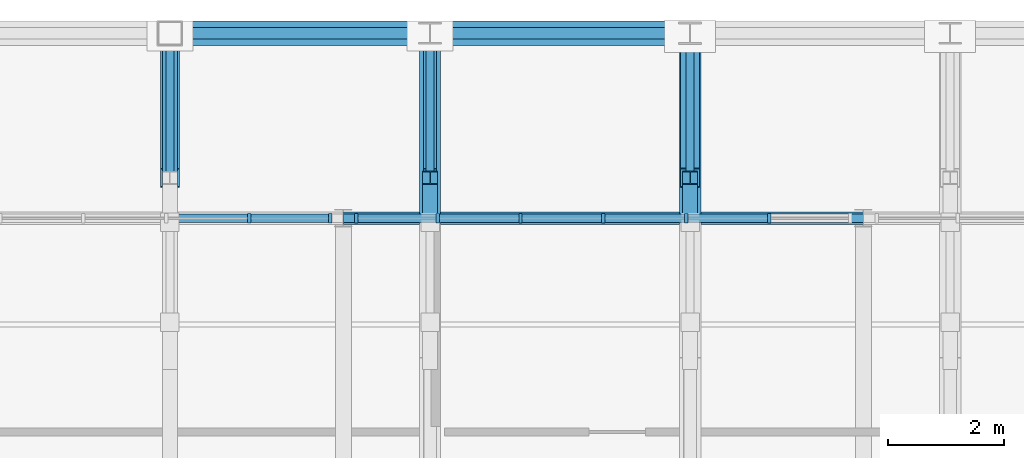
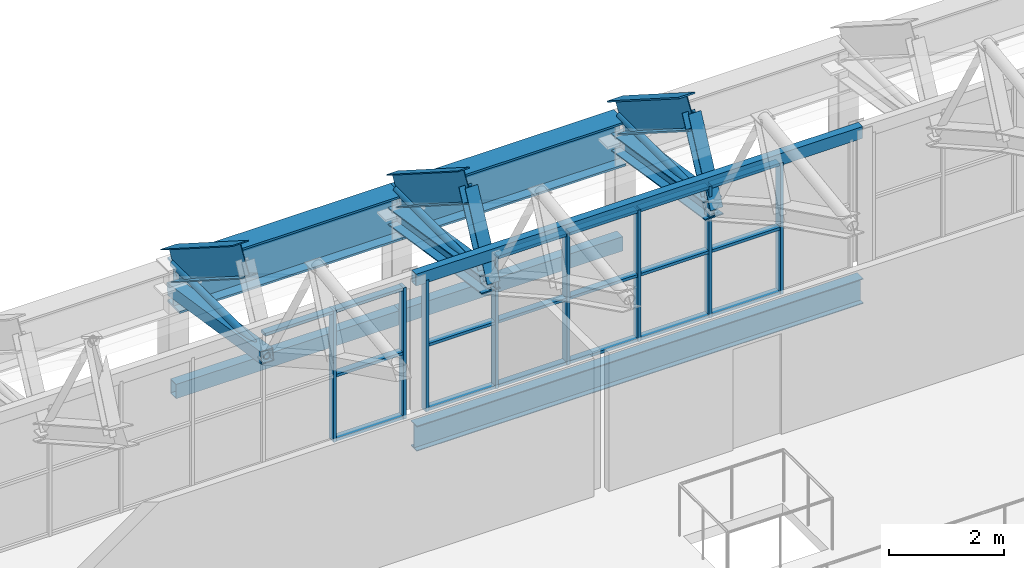
# One storey, part 72 of 134: 35 members, 9 beams, 2 elements without a shape of their own.
"""IFC4 building model written with IfcOpenShell, lengths in metres."""

from ifc_helpers import new_model, si_unit, direction, frame, origin, origin_2d, place, context, subcontext, project, spatial, rectangle, hollow_rectangle, hollow_circle, i_section, extrude, material, layer, layer_set, material_profile, profile_set, type_object, element, aggregate, save


model = new_model("IFC4")

# Units and contexts
model_context = context("Model", 3, precision=1e-05, world=origin(), true_north=direction((0.0, 1.0)))
body_context = subcontext(model_context, "Body", "Model", "MODEL_VIEW")
ifc_project = project(units=[si_unit("LENGTHUNIT", "METRE"), si_unit("AREAUNIT", "SQUARE_METRE"), si_unit("VOLUMEUNIT", "CUBIC_METRE"), si_unit("PLANEANGLEUNIT", "RADIAN"), si_unit("MASSUNIT", "GRAM", prefix="KILO")], contexts=[model_context])

# Site, building, storey
site_placement = place(None, origin())
site = spatial("IfcSite", under=ifc_project, at=site_placement, CompositionType="ELEMENT")
building_placement = place(site_placement, origin())
building = spatial("IfcBuilding", under=site, at=building_placement, Name="Cazmaro Siding Exhibition Halls", CompositionType="ELEMENT")
storey_placement = place(building_placement, frame((0.0, 0.0, 12.0)))
storey = spatial("IfcBuildingStorey", under=building, at=storey_placement, Name="L02", CompositionType="ELEMENT", Elevation=12.0)

# Beams
ifc_material_1 = material(Name="Steel ASTM A992 Grade 50", Category="steel")
ifc_material_profile_1 = material_profile(ifc_material_1, i_section(OverallWidth=0.327880859375, OverallDepth=0.626953125, WebThickness=0.01708984375, FlangeThickness=0.028076171875, at=origin_2d()), Name="W24X146")
ifc_profile_set_1 = profile_set([ifc_material_profile_1], Name="Steel ASTM A992 Grade 50")
beam_type_1 = type_object("IfcBeamType", Name="AR-01", PredefinedType="USERDEFINED", material=ifc_profile_set_1)
beam_1_placement = place(storey_placement, frame((126.0, 121.5, 3.89306640625), z_axis=(0.0, 0.843339173298, -0.537381650954), x_axis=(-1.0, 0.0, 0.0)))
element("IfcBeam", 1, at=beam_1_placement, inside=storey, type_object=beam_type_1, Name="Space frame barrel vault arched rib AR-01 BM-0990", ObjectType="ARCHED RIB", PredefinedType="USERDEFINED", context=body_context, shape_type="SweptSolid", body=[
    extrude(i_section(OverallWidth=0.327880859375, OverallDepth=0.626953125, WebThickness=0.01708984375, FlangeThickness=0.028076171875, at=origin_2d()), origin(), (0.0, 0.0, 1.0), 2.96435546875),
])
ifc_material_2 = material(Name="Steel ASTM A992 Grade 50", Category="steel")
ifc_material_profile_2 = material_profile(ifc_material_2, i_section(OverallWidth=0.324951171875, OverallDepth=0.612060546875, WebThickness=0.012939453125, FlangeThickness=0.01904296875, at=origin_2d()), Name="W24X104")
ifc_profile_set_2 = profile_set([ifc_material_profile_2], Name="Steel ASTM A992 Grade 50")
beam_type_2 = type_object("IfcBeamType", Name="AR-02", PredefinedType="USERDEFINED", material=ifc_profile_set_2)
beam_2_placement = place(storey_placement, frame((117.0, 121.5, 3.89306640625), z_axis=(0.0, 0.843339173298, -0.537381650954), x_axis=(-1.0, 0.0, 0.0)))
element("IfcBeam", 2, at=beam_2_placement, inside=storey, type_object=beam_type_2, Name="Space frame barrel vault arched rib AR-02 BM-0942", ObjectType="ARCHED RIB", PredefinedType="USERDEFINED", context=body_context, shape_type="SweptSolid", body=[
    extrude(i_section(OverallWidth=0.324951171875, OverallDepth=0.612060546875, WebThickness=0.012939453125, FlangeThickness=0.01904296875, at=origin_2d()), origin(), (0.0, 0.0, 1.0), 2.96435546875),
])
ifc_material_3 = material(Name="Steel ASTM A992 Grade 50", Category="steel")
ifc_material_profile_3 = material_profile(ifc_material_3, i_section(OverallWidth=0.22900390625, OverallDepth=0.612060546875, WebThickness=0.011962890625, FlangeThickness=0.02001953125, at=origin_2d()), Name="W24X84")
ifc_profile_set_3 = profile_set([ifc_material_profile_3], Name="Steel ASTM A992 Grade 50")
beam_type_3 = type_object("IfcBeamType", Name="AR-03", PredefinedType="USERDEFINED", material=ifc_profile_set_3)
beam_3_placement = place(storey_placement, frame((121.5, 121.5, 3.89306640625), z_axis=(0.0, 0.843339173298, -0.537381650954), x_axis=(-1.0, 0.0, 0.0)))
element("IfcBeam", 3, at=beam_3_placement, inside=storey, type_object=beam_type_3, Name="Space frame barrel vault arched rib AR-03 BM-0966", ObjectType="ARCHED RIB", PredefinedType="USERDEFINED", context=body_context, shape_type="SweptSolid", body=[
    extrude(i_section(OverallWidth=0.22900390625, OverallDepth=0.612060546875, WebThickness=0.011962890625, FlangeThickness=0.02001953125, at=origin_2d()), origin(), (0.0, 0.0, 1.0), 2.96435546875),
])
ifc_material_4 = material(Name="Steel ASTM A992 Grade 50", Category="steel")
ifc_material_profile_4 = material_profile(ifc_material_4, i_section(OverallWidth=0.2099609375, OverallDepth=0.535888671875, WebThickness=0.010986328125, FlangeThickness=0.01708984375, at=origin_2d()), Name="W21X68")
ifc_profile_set_4 = profile_set([ifc_material_profile_4], Name="Steel ASTM A992 Grade 50")
beam_type_4 = type_object("IfcBeamType", Name="B-02", PredefinedType="BEAM", material=ifc_profile_set_4)
beam_4_placement = place(storey_placement, frame((120.0, 120.800048828125, -0.488037109375), z_axis=(1.0, 0.0, 0.0), x_axis=(0.0, 1.0, 0.0)))
element("IfcBeam", 4, at=beam_4_placement, inside=storey, type_object=beam_type_4, Name="Beam B-02 BM-0423", PredefinedType="BEAM", context=body_context, shape_type="SweptSolid", body=[
    extrude(i_section(OverallWidth=0.2099609375, OverallDepth=0.535888671875, WebThickness=0.010986328125, FlangeThickness=0.01708984375, at=origin_2d()), origin(), (0.0, 0.0, 1.0), 9.0),
])

# Curtain wall, members
ifc_material_5 = material(Name="Anodized Bronze Aluminum and Solar-Control Low-E Glazing", Category="aluminium")
ifc_layer = layer(ifc_material_5, 0.159912109375)
ifc_layer_set = layer_set([ifc_layer], Name="Anodized Bronze Aluminum and Solar-Control Low-E Glazing")
curtain_wall_type = type_object("IfcCurtainWallType", Name="CWS-04", PredefinedType="USERDEFINED", material=ifc_layer_set)
curtain_wall_1_placement = place(storey_placement, origin())
curtain_wall_1 = element("IfcCurtainWall", 5, at=curtain_wall_1_placement, inside=storey, type_object=curtain_wall_type, Name="Clerestory Curtain Wall CWS-04 CW-031", ObjectType="CLERESTORY CURTAIN WALL", PredefinedType="USERDEFINED")
ifc_material_6 = material(Name="Anodized Bronze Extruded Aluminum", Category="aluminium")
ifc_material_profile_5 = material_profile(ifc_material_6, rectangle(XDim=0.159912109375, YDim=0.06005859375, at=origin_2d()), Name="CWM-04")
ifc_profile_set_5 = profile_set([ifc_material_profile_5], Name="Anodized Bronze Extruded Aluminum")
member_type_1 = type_object("IfcMemberType", Name="CWM-04", PredefinedType="MULLION", material=ifc_profile_set_5)
member_1_placement = place(storey_placement, frame((119.77294921875, 120.800048828125, 0.0), z_axis=(0.0, 0.0, 1.0), x_axis=(0.0, -1.0, 0.0)))
member_1 = element("IfcMember", 6, at=member_1_placement, type_object=member_type_1, Name="CWS-04 mullion 1", PredefinedType="MULLION", context=body_context, shape_type="SweptSolid", body=[
    extrude(rectangle(XDim=0.159912109375, YDim=0.06005859375, at=origin_2d()), origin(), (0.0, 0.0, 1.0), 2.800048828125),
])
member_2_placement = place(storey_placement, frame((118.36865234375, 120.800048828125, 0.0), z_axis=(0.0, 0.0, 1.0), x_axis=(0.0, -1.0, 0.0)))
member_2 = element("IfcMember", 7, at=member_2_placement, type_object=member_type_1, Name="CWS-04 mullion 2", PredefinedType="MULLION", context=body_context, shape_type="SweptSolid", body=[
    extrude(rectangle(XDim=0.159912109375, YDim=0.06005859375, at=origin_2d()), origin(), (0.0, 0.0, 1.0), 2.800048828125),
])

curtain_wall_2_placement = place(storey_placement, origin())
curtain_wall_2 = element("IfcCurtainWall", 8, at=curtain_wall_2_placement, inside=storey, type_object=curtain_wall_type, Name="Clerestory Curtain Wall CWS-04 CW-034", ObjectType="CLERESTORY CURTAIN WALL", PredefinedType="USERDEFINED")
member_3_placement = place(storey_placement, frame((127.36865234375, 120.800048828125, 0.0), z_axis=(0.0, 0.0, 1.0), x_axis=(0.0, -1.0, 0.0)))
member_3 = element("IfcMember", 9, at=member_3_placement, type_object=member_type_1, Name="CWS-04 mullion 2", PredefinedType="MULLION", context=body_context, shape_type="SweptSolid", body=[
    extrude(rectangle(XDim=0.159912109375, YDim=0.06005859375, at=origin_2d()), origin(), (0.0, 0.0, 1.0), 2.800048828125),
])
member_4_placement = place(storey_placement, frame((125.934326171875, 120.800048828125, 0.0), z_axis=(0.0, 0.0, 1.0), x_axis=(0.0, -1.0, 0.0)))
member_4 = element("IfcMember", 10, at=member_4_placement, type_object=member_type_1, Name="CWS-04 mullion 3", PredefinedType="MULLION", context=body_context, shape_type="SweptSolid", body=[
    extrude(rectangle(XDim=0.159912109375, YDim=0.06005859375, at=origin_2d()), origin(), (0.0, 0.0, 1.0), 2.800048828125),
])
member_5_placement = place(storey_placement, frame((124.5, 120.800048828125, 0.0), z_axis=(0.0, 0.0, 1.0), x_axis=(0.0, -1.0, 0.0)))
member_5 = element("IfcMember", 11, at=member_5_placement, type_object=member_type_1, Name="CWS-04 mullion 4", PredefinedType="MULLION", context=body_context, shape_type="SweptSolid", body=[
    extrude(rectangle(XDim=0.159912109375, YDim=0.06005859375, at=origin_2d()), origin(), (0.0, 0.0, 1.0), 2.800048828125),
])
member_6_placement = place(storey_placement, frame((123.065673828125, 120.800048828125, 0.0), z_axis=(0.0, 0.0, 1.0), x_axis=(0.0, -1.0, 0.0)))
member_6 = element("IfcMember", 12, at=member_6_placement, type_object=member_type_1, Name="CWS-04 mullion 5", PredefinedType="MULLION", context=body_context, shape_type="SweptSolid", body=[
    extrude(rectangle(XDim=0.159912109375, YDim=0.06005859375, at=origin_2d()), origin(), (0.0, 0.0, 1.0), 2.800048828125),
])
member_7_placement = place(storey_placement, frame((121.63134765625, 120.800048828125, 0.0), z_axis=(0.0, 0.0, 1.0), x_axis=(0.0, -1.0, 0.0)))
member_7 = element("IfcMember", 13, at=member_7_placement, type_object=member_type_1, Name="CWS-04 mullion 6", PredefinedType="MULLION", context=body_context, shape_type="SweptSolid", body=[
    extrude(rectangle(XDim=0.159912109375, YDim=0.06005859375, at=origin_2d()), origin(), (0.0, 0.0, 1.0), 2.800048828125),
])
member_8_placement = place(storey_placement, frame((120.22705078125, 120.800048828125, 0.0), z_axis=(0.0, 0.0, 1.0), x_axis=(0.0, -1.0, 0.0)))
member_8 = element("IfcMember", 14, at=member_8_placement, type_object=member_type_1, Name="CWS-04 mullion 7", PredefinedType="MULLION", context=body_context, shape_type="SweptSolid", body=[
    extrude(rectangle(XDim=0.159912109375, YDim=0.06005859375, at=origin_2d()), origin(), (0.0, 0.0, 1.0), 2.800048828125),
])

# Member
ifc_material_7 = material(Name="Anodized Bronze Extruded Aluminum", Category="aluminium")
ifc_material_profile_6 = material_profile(ifc_material_7, rectangle(XDim=0.139892578125, YDim=0.06005859375, at=origin_2d()), Name="CWT-04")
ifc_profile_set_6 = profile_set([ifc_material_profile_6], Name="Anodized Bronze Extruded Aluminum")
member_type_2 = type_object("IfcMemberType", Name="CWT-04", PredefinedType="MULLION", material=ifc_profile_set_6)
member_9_placement = place(storey_placement, frame((119.742919921875, 120.800048828125, 0.030029296875), z_axis=(-1.0, 0.0, 0.0), x_axis=(0.0, -1.0, 0.0)))
member_9 = element("IfcMember", 15, at=member_9_placement, type_object=member_type_2, Name="CWS-04 transom 1.1", ObjectType="TRANSOM", PredefinedType="USERDEFINED", context=body_context, shape_type="SweptSolid", body=[
    extrude(rectangle(XDim=0.139892578125, YDim=0.06005859375, at=origin_2d()), origin(), (0.0, 0.0, 1.0), 1.34423828125),
])

member_10_placement = place(storey_placement, frame((119.742919921875, 120.800048828125, 1.39990234375), z_axis=(-1.0, 0.0, 0.0), x_axis=(0.0, -1.0, 0.0)))
member_10 = element("IfcMember", 16, at=member_10_placement, type_object=member_type_2, Name="CWS-04 transom 1.2", ObjectType="TRANSOM", PredefinedType="USERDEFINED", context=body_context, shape_type="SweptSolid", body=[
    extrude(rectangle(XDim=0.139892578125, YDim=0.06005859375, at=origin_2d()), origin(), (0.0, 0.0, 1.0), 1.34423828125),
])

member_11_placement = place(storey_placement, frame((119.742919921875, 120.800048828125, 2.77001953125), z_axis=(-1.0, 0.0, 0.0), x_axis=(0.0, -1.0, 0.0)))
member_11 = element("IfcMember", 17, at=member_11_placement, type_object=member_type_2, Name="CWS-04 transom 1.3", ObjectType="TRANSOM", PredefinedType="USERDEFINED", context=body_context, shape_type="SweptSolid", body=[
    extrude(rectangle(XDim=0.139892578125, YDim=0.06005859375, at=origin_2d()), origin(), (0.0, 0.0, 1.0), 1.34423828125),
])

member_12_placement = place(storey_placement, frame((118.338623046875, 120.800048828125, 2.77001953125), z_axis=(-1.0, 0.0, 0.0), x_axis=(0.0, -1.0, 0.0)))
member_12 = element("IfcMember", 18, at=member_12_placement, type_object=member_type_2, Name="CWS-04 transom 2.3", ObjectType="TRANSOM", PredefinedType="USERDEFINED", context=body_context, shape_type="SweptSolid", body=[
    extrude(rectangle(XDim=0.139892578125, YDim=0.06005859375, at=origin_2d()), origin(), (0.0, 0.0, 1.0), 1.374267578125),
])

aggregate(curtain_wall_1, [member_1, member_2, member_9, member_10, member_11, member_12])

member_13_placement = place(storey_placement, frame((127.338623046875, 120.800048828125, 0.030029296875), z_axis=(-1.0, 0.0, 0.0), x_axis=(0.0, -1.0, 0.0)))
member_13 = element("IfcMember", 19, at=member_13_placement, type_object=member_type_2, Name="CWS-04 transom 2.1", ObjectType="TRANSOM", PredefinedType="USERDEFINED", context=body_context, shape_type="SweptSolid", body=[
    extrude(rectangle(XDim=0.139892578125, YDim=0.06005859375, at=origin_2d()), origin(), (0.0, 0.0, 1.0), 1.374267578125),
])

member_14_placement = place(storey_placement, frame((127.338623046875, 120.800048828125, 1.39990234375), z_axis=(-1.0, 0.0, 0.0), x_axis=(0.0, -1.0, 0.0)))
member_14 = element("IfcMember", 20, at=member_14_placement, type_object=member_type_2, Name="CWS-04 transom 2.2", ObjectType="TRANSOM", PredefinedType="USERDEFINED", context=body_context, shape_type="SweptSolid", body=[
    extrude(rectangle(XDim=0.139892578125, YDim=0.06005859375, at=origin_2d()), origin(), (0.0, 0.0, 1.0), 1.374267578125),
])

member_15_placement = place(storey_placement, frame((127.338623046875, 120.800048828125, 2.77001953125), z_axis=(-1.0, 0.0, 0.0), x_axis=(0.0, -1.0, 0.0)))
member_15 = element("IfcMember", 21, at=member_15_placement, type_object=member_type_2, Name="CWS-04 transom 2.3", ObjectType="TRANSOM", PredefinedType="USERDEFINED", context=body_context, shape_type="SweptSolid", body=[
    extrude(rectangle(XDim=0.139892578125, YDim=0.06005859375, at=origin_2d()), origin(), (0.0, 0.0, 1.0), 1.374267578125),
])

member_16_placement = place(storey_placement, frame((125.904296875, 120.800048828125, 0.030029296875), z_axis=(-1.0, 0.0, 0.0), x_axis=(0.0, -1.0, 0.0)))
member_16 = element("IfcMember", 22, at=member_16_placement, type_object=member_type_2, Name="CWS-04 transom 3.1", ObjectType="TRANSOM", PredefinedType="USERDEFINED", context=body_context, shape_type="SweptSolid", body=[
    extrude(rectangle(XDim=0.139892578125, YDim=0.06005859375, at=origin_2d()), origin(), (0.0, 0.0, 1.0), 1.374267578125),
])

member_17_placement = place(storey_placement, frame((125.904296875, 120.800048828125, 1.39990234375), z_axis=(-1.0, 0.0, 0.0), x_axis=(0.0, -1.0, 0.0)))
member_17 = element("IfcMember", 23, at=member_17_placement, type_object=member_type_2, Name="CWS-04 transom 3.2", ObjectType="TRANSOM", PredefinedType="USERDEFINED", context=body_context, shape_type="SweptSolid", body=[
    extrude(rectangle(XDim=0.139892578125, YDim=0.06005859375, at=origin_2d()), origin(), (0.0, 0.0, 1.0), 1.374267578125),
])

member_18_placement = place(storey_placement, frame((125.904296875, 120.800048828125, 2.77001953125), z_axis=(-1.0, 0.0, 0.0), x_axis=(0.0, -1.0, 0.0)))
member_18 = element("IfcMember", 24, at=member_18_placement, type_object=member_type_2, Name="CWS-04 transom 3.3", ObjectType="TRANSOM", PredefinedType="USERDEFINED", context=body_context, shape_type="SweptSolid", body=[
    extrude(rectangle(XDim=0.139892578125, YDim=0.06005859375, at=origin_2d()), origin(), (0.0, 0.0, 1.0), 1.374267578125),
])

member_19_placement = place(storey_placement, frame((124.469970703125, 120.800048828125, 0.030029296875), z_axis=(-1.0, 0.0, 0.0), x_axis=(0.0, -1.0, 0.0)))
member_19 = element("IfcMember", 25, at=member_19_placement, type_object=member_type_2, Name="CWS-04 transom 4.1", ObjectType="TRANSOM", PredefinedType="USERDEFINED", context=body_context, shape_type="SweptSolid", body=[
    extrude(rectangle(XDim=0.139892578125, YDim=0.06005859375, at=origin_2d()), origin(), (0.0, 0.0, 1.0), 1.374267578125),
])

member_20_placement = place(storey_placement, frame((124.469970703125, 120.800048828125, 1.39990234375), z_axis=(-1.0, 0.0, 0.0), x_axis=(0.0, -1.0, 0.0)))
member_20 = element("IfcMember", 26, at=member_20_placement, type_object=member_type_2, Name="CWS-04 transom 4.2", ObjectType="TRANSOM", PredefinedType="USERDEFINED", context=body_context, shape_type="SweptSolid", body=[
    extrude(rectangle(XDim=0.139892578125, YDim=0.06005859375, at=origin_2d()), origin(), (0.0, 0.0, 1.0), 1.374267578125),
])

member_21_placement = place(storey_placement, frame((124.469970703125, 120.800048828125, 2.77001953125), z_axis=(-1.0, 0.0, 0.0), x_axis=(0.0, -1.0, 0.0)))
member_21 = element("IfcMember", 27, at=member_21_placement, type_object=member_type_2, Name="CWS-04 transom 4.3", ObjectType="TRANSOM", PredefinedType="USERDEFINED", context=body_context, shape_type="SweptSolid", body=[
    extrude(rectangle(XDim=0.139892578125, YDim=0.06005859375, at=origin_2d()), origin(), (0.0, 0.0, 1.0), 1.374267578125),
])

member_22_placement = place(storey_placement, frame((123.03564453125, 120.800048828125, 0.030029296875), z_axis=(-1.0, 0.0, 0.0), x_axis=(0.0, -1.0, 0.0)))
member_22 = element("IfcMember", 28, at=member_22_placement, type_object=member_type_2, Name="CWS-04 transom 5.1", ObjectType="TRANSOM", PredefinedType="USERDEFINED", context=body_context, shape_type="SweptSolid", body=[
    extrude(rectangle(XDim=0.139892578125, YDim=0.06005859375, at=origin_2d()), origin(), (0.0, 0.0, 1.0), 1.374267578125),
])

member_23_placement = place(storey_placement, frame((123.03564453125, 120.800048828125, 1.39990234375), z_axis=(-1.0, 0.0, 0.0), x_axis=(0.0, -1.0, 0.0)))
member_23 = element("IfcMember", 29, at=member_23_placement, type_object=member_type_2, Name="CWS-04 transom 5.2", ObjectType="TRANSOM", PredefinedType="USERDEFINED", context=body_context, shape_type="SweptSolid", body=[
    extrude(rectangle(XDim=0.139892578125, YDim=0.06005859375, at=origin_2d()), origin(), (0.0, 0.0, 1.0), 1.374267578125),
])

member_24_placement = place(storey_placement, frame((123.03564453125, 120.800048828125, 2.77001953125), z_axis=(-1.0, 0.0, 0.0), x_axis=(0.0, -1.0, 0.0)))
member_24 = element("IfcMember", 30, at=member_24_placement, type_object=member_type_2, Name="CWS-04 transom 5.3", ObjectType="TRANSOM", PredefinedType="USERDEFINED", context=body_context, shape_type="SweptSolid", body=[
    extrude(rectangle(XDim=0.139892578125, YDim=0.06005859375, at=origin_2d()), origin(), (0.0, 0.0, 1.0), 1.374267578125),
])

member_25_placement = place(storey_placement, frame((121.601318359375, 120.800048828125, 0.030029296875), z_axis=(-1.0, 0.0, 0.0), x_axis=(0.0, -1.0, 0.0)))
member_25 = element("IfcMember", 31, at=member_25_placement, type_object=member_type_2, Name="CWS-04 transom 6.1", ObjectType="TRANSOM", PredefinedType="USERDEFINED", context=body_context, shape_type="SweptSolid", body=[
    extrude(rectangle(XDim=0.139892578125, YDim=0.06005859375, at=origin_2d()), origin(), (0.0, 0.0, 1.0), 1.34423828125),
])

member_26_placement = place(storey_placement, frame((121.601318359375, 120.800048828125, 1.39990234375), z_axis=(-1.0, 0.0, 0.0), x_axis=(0.0, -1.0, 0.0)))
member_26 = element("IfcMember", 32, at=member_26_placement, type_object=member_type_2, Name="CWS-04 transom 6.2", ObjectType="TRANSOM", PredefinedType="USERDEFINED", context=body_context, shape_type="SweptSolid", body=[
    extrude(rectangle(XDim=0.139892578125, YDim=0.06005859375, at=origin_2d()), origin(), (0.0, 0.0, 1.0), 1.34423828125),
])

member_27_placement = place(storey_placement, frame((121.601318359375, 120.800048828125, 2.77001953125), z_axis=(-1.0, 0.0, 0.0), x_axis=(0.0, -1.0, 0.0)))
member_27 = element("IfcMember", 33, at=member_27_placement, type_object=member_type_2, Name="CWS-04 transom 6.3", ObjectType="TRANSOM", PredefinedType="USERDEFINED", context=body_context, shape_type="SweptSolid", body=[
    extrude(rectangle(XDim=0.139892578125, YDim=0.06005859375, at=origin_2d()), origin(), (0.0, 0.0, 1.0), 1.34423828125),
])

aggregate(curtain_wall_2, [member_3, member_4, member_5, member_6, member_7, member_8, member_13, member_14, member_15, member_16, member_17, member_18, member_19, member_20, member_21, member_22, member_23, member_24, member_25, member_26, member_27])

# Beams
ifc_material_8 = material(Name="Steel ASTM A992 Grade 50", Category="steel")
ifc_material_profile_7 = material_profile(ifc_material_8, i_section(OverallWidth=0.424072265625, OverallDepth=0.947021484375, WebThickness=0.02392578125, FlangeThickness=0.04296875, at=origin_2d()), Name="W36X302")
ifc_profile_set_7 = profile_set([ifc_material_profile_7], Name="Steel ASTM A992 Grade 50")
beam_type_5 = type_object("IfcBeamType", Name="G-01", PredefinedType="USERDEFINED", material=ifc_profile_set_7)
for number, where, z_axis, x_axis, name in (
    (34, (117.0, 124.0, 1.826904296875), (1.0, 0.0, 0.0), (0.0, 1.0, 0.0), "Beam G-01 BM-0162"),
    (35, (121.5, 124.0, 1.826904296875), (1.0, 0.0, 0.0), (0.0, 1.0, 0.0), "Beam G-01 BM-0168"),
):
    element("IfcBeam", number, at=place(storey_placement, frame(where, z_axis=z_axis, x_axis=x_axis)), inside=storey, type_object=beam_type_5, Name=name, ObjectType="GIRDER", PredefinedType="USERDEFINED", context=body_context, shape_type="SweptSolid", body=[
        extrude(i_section(OverallWidth=0.424072265625, OverallDepth=0.947021484375, WebThickness=0.02392578125, FlangeThickness=0.04296875, at=origin_2d()), origin(), (0.0, 0.0, 1.0), 4.5),
    ])
ifc_material_9 = material(Name="Steel ASTM A500 Grade C", Category="steel")
ifc_material_profile_8 = material_profile(ifc_material_9, hollow_rectangle(XDim=0.202880859375, YDim=0.304931640625, WallThickness=0.011962890625, at=origin_2d()), Name="HSS12X8X1/2")
ifc_profile_set_8 = profile_set([ifc_material_profile_8], Name="Steel ASTM A500 Grade C")
beam_type_6 = type_object("IfcBeamType", Name="SP-01", PredefinedType="SPANDREL", material=ifc_profile_set_8)
for number, where, z_axis, x_axis, name in (
    (36, (117.0, 124.0, -0.373046875), (1.0, 0.0, 0.0), (0.0, 1.0, 0.0), "Beam SP-01 BM-0161"),
    (37, (121.5, 124.0, -0.373046875), (1.0, 0.0, 0.0), (0.0, 1.0, 0.0), "Beam SP-01 BM-0167"),
):
    element("IfcBeam", number, at=place(storey_placement, frame(where, z_axis=z_axis, x_axis=x_axis)), inside=storey, type_object=beam_type_6, Name=name, PredefinedType="SPANDREL", context=body_context, shape_type="SweptSolid", body=[
        extrude(hollow_rectangle(XDim=0.202880859375, YDim=0.304931640625, WallThickness=0.011962890625, at=origin_2d()), origin(), (0.0, 0.0, 1.0), 4.5),
    ])
ifc_material_10 = material(Name="Steel ASTM A500 Grade C", Category="steel")
ifc_material_profile_9 = material_profile(ifc_material_10, hollow_rectangle(XDim=0.152099609375, YDim=0.25390625, WallThickness=0.011962890625, at=origin_2d()), Name="HSS10X6X1/2")
ifc_profile_set_9 = profile_set([ifc_material_profile_9], Name="Steel ASTM A500 Grade C")
beam_type_7 = type_object("IfcBeamType", Name="SP-02", PredefinedType="SPANDREL", material=ifc_profile_set_9)
beam_5_placement = place(storey_placement, frame((120.0, 120.800048828125, 2.873046875), z_axis=(1.0, 0.0, 0.0), x_axis=(0.0, 1.0, 0.0)))
element("IfcBeam", 38, at=beam_5_placement, inside=storey, type_object=beam_type_7, Name="Beam SP-02 BM-0244", PredefinedType="SPANDREL", context=body_context, shape_type="SweptSolid", body=[
    extrude(hollow_rectangle(XDim=0.152099609375, YDim=0.25390625, WallThickness=0.011962890625, at=origin_2d()), origin(), (0.0, 0.0, 1.0), 9.0),
])

# Members
ifc_material_11 = material(Name="Steel ASTM A500 Grade C", Category="steel")
ifc_material_profile_10 = material_profile(ifc_material_11, hollow_rectangle(XDim=0.25390625, YDim=0.25390625, WallThickness=0.014892578125, at=origin_2d()), Name="HSS10X10X5/8")
ifc_profile_set_10 = profile_set([ifc_material_profile_10], Name="Steel ASTM A500 Grade C")
member_type_3 = type_object("IfcMemberType", Name="TC-01", PredefinedType="CHORD", material=ifc_profile_set_10)
member_28_placement = place(storey_placement, frame((117.0, 120.72900390625, 2.305908203125), z_axis=(0.0, 0.988252010809, -0.152833121839), x_axis=(-1.0, 0.0, 0.0)))
element("IfcMember", 39, at=member_28_placement, inside=storey, type_object=member_type_3, Name="Space frame barrel vault bottom chord TC-01 MEM-1135", PredefinedType="CHORD", context=body_context, shape_type="SweptSolid", body=[
    extrude(hollow_rectangle(XDim=0.25390625, YDim=0.25390625, WallThickness=0.014892578125, at=origin_2d()), origin(), (0.0, 0.0, 1.0), 3.309814453125),
])
ifc_material_12 = material(Name="Steel ASTM A992 Grade 50", Category="steel")
ifc_material_profile_11 = material_profile(ifc_material_12, i_section(OverallWidth=0.37109375, OverallDepth=0.364013671875, WebThickness=0.012939453125, FlangeThickness=0.02197265625, at=origin_2d()), Name="W14X109")
ifc_profile_set_11 = profile_set([ifc_material_profile_11], Name="Steel ASTM A992 Grade 50")
member_type_4 = type_object("IfcMemberType", Name="TC-06", PredefinedType="CHORD", material=ifc_profile_set_11)
for number, where, z_axis, x_axis, name in (
    (40, (121.5, 120.72900390625, 2.305908203125), (0.0, 0.988252010809, -0.152833121839), (-1.0, 0.0, 0.0), "Space frame barrel vault bottom chord TC-06 MEM-1206"),
    (41, (126.0, 120.72900390625, 2.305908203125), (0.0, 0.988252010809, -0.152833121839), (-1.0, 0.0, 0.0), "Space frame barrel vault bottom chord TC-06 MEM-1277"),
):
    element("IfcMember", number, at=place(storey_placement, frame(where, z_axis=z_axis, x_axis=x_axis)), inside=storey, type_object=member_type_4, Name=name, PredefinedType="CHORD", context=body_context, shape_type="SweptSolid", body=[
        extrude(i_section(OverallWidth=0.37109375, OverallDepth=0.364013671875, WebThickness=0.012939453125, FlangeThickness=0.02197265625, at=origin_2d()), origin(), (0.0, 0.0, 1.0), 3.309814453125),
    ])
ifc_material_13 = material(Name="Steel ASTM A992 Grade 50", Category="steel")
ifc_material_profile_12 = material_profile(ifc_material_13, i_section(OverallWidth=0.25390625, OverallDepth=0.25390625, WebThickness=0.009033203125, FlangeThickness=0.013916015625, at=origin_2d()), Name="W10X49")
ifc_profile_set_12 = profile_set([ifc_material_profile_12], Name="Steel ASTM A992 Grade 50")
member_type_5 = type_object("IfcMemberType", Name="TP-04", PredefinedType="POST", material=ifc_profile_set_12)
for number, where, z_axis, x_axis, name in (
    (42, (121.5, 120.72900390625, 2.305908203125), (0.0, 0.436945543824, 0.89948796086), (-1.0, 0.0, 0.0), "Space frame barrel vault post TP-04 MEM-1230"),
    (43, (126.0, 120.72900390625, 2.305908203125), (0.0, 0.436945543824, 0.89948796086), (-1.0, 0.0, 0.0), "Space frame barrel vault post TP-04 MEM-1301"),
):
    element("IfcMember", number, at=place(storey_placement, frame(where, z_axis=z_axis, x_axis=x_axis)), inside=storey, type_object=member_type_5, Name=name, PredefinedType="POST", context=body_context, shape_type="SweptSolid", body=[
        extrude(i_section(OverallWidth=0.25390625, OverallDepth=0.25390625, WebThickness=0.009033203125, FlangeThickness=0.013916015625, at=origin_2d()), origin(), (0.0, 0.0, 1.0), 1.764404296875),
    ])
ifc_material_14 = material(Name="Steel ASTM A500 Grade C", Category="steel")
ifc_material_profile_13 = material_profile(ifc_material_14, hollow_circle(Radius=0.070556640625, WallThickness=0.01904296875, at=origin_2d()), Name="PIPE5XXS")
ifc_profile_set_13 = profile_set([ifc_material_profile_13], Name="Steel ASTM A500 Grade C")
member_type_6 = type_object("IfcMemberType", Name="WB-07", PredefinedType="BRACE", material=ifc_profile_set_13)
for number, where, z_axis, x_axis, name in (
    (44, (117.0, 120.72900390625, 2.305908203125), (0.0, 0.999998395604, -0.001791309262), (-1.0, 0.0, 0.0), "Space frame barrel vault diagonal WB-07 MEM-1136"),
    (45, (121.5, 120.72900390625, 2.305908203125), (0.0, 0.999998395604, -0.001791309262), (-1.0, 0.0, 0.0), "Space frame barrel vault diagonal WB-07 MEM-1207"),
    (46, (126.0, 120.72900390625, 2.305908203125), (0.0, 0.999998395604, -0.001791309262), (-1.0, 0.0, 0.0), "Space frame barrel vault diagonal WB-07 MEM-1278"),
):
    element("IfcMember", number, at=place(storey_placement, frame(where, z_axis=z_axis, x_axis=x_axis)), inside=storey, type_object=member_type_6, Name=name, PredefinedType="BRACE", context=body_context, shape_type="SweptSolid", body=[
        extrude(hollow_circle(Radius=0.070556640625, WallThickness=0.01904296875, at=origin_2d()), origin(), (0.0, 0.0, 1.0), 3.27099609375),
    ])

save(model, "model.ifc")
